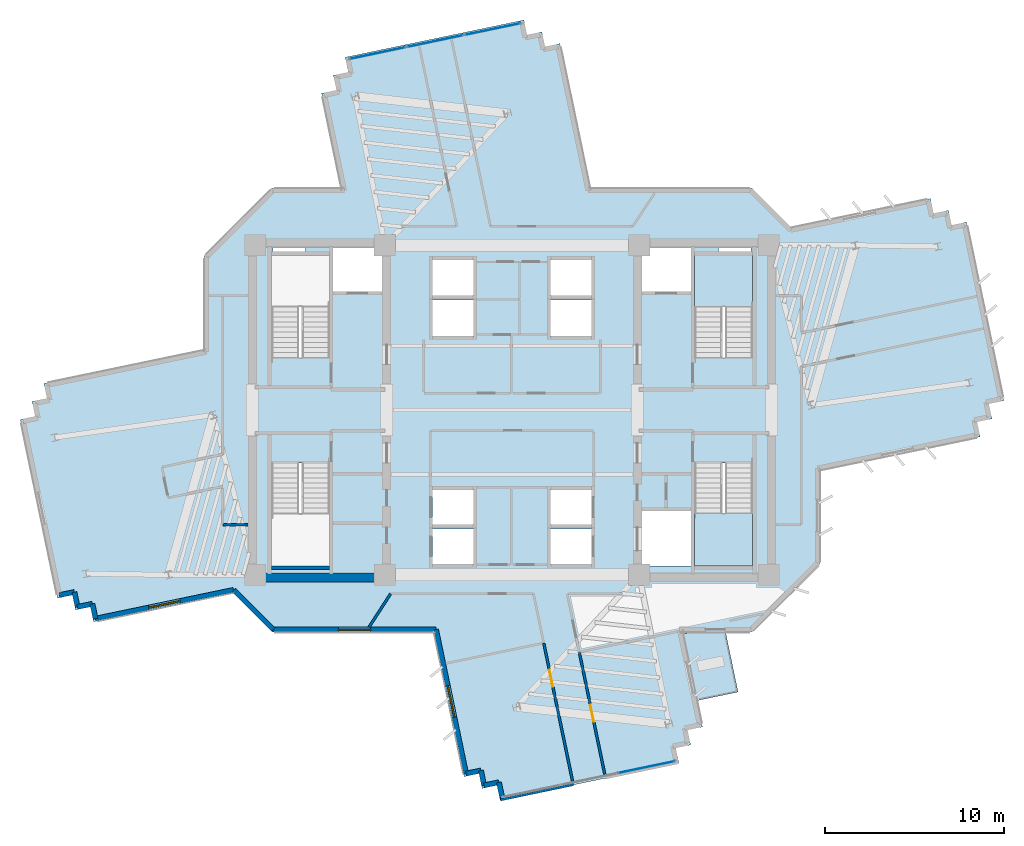
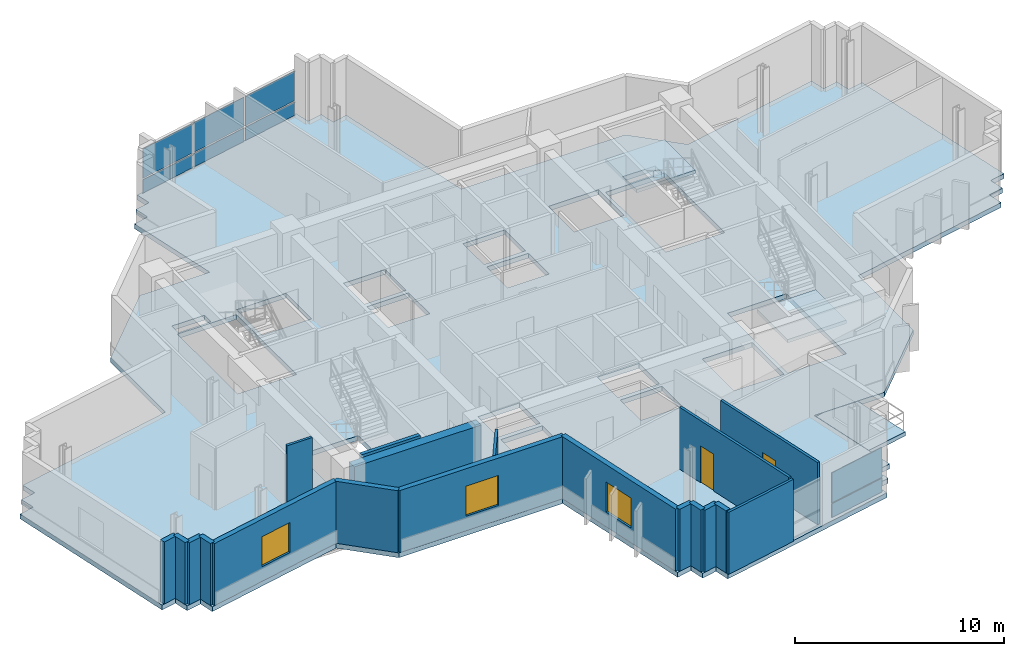
# One storey, part 6 of 14: 19 walls, 8 plates, 4 slabs, 3 windows, 2 doors, 5 openings, 4 elements without a shape of their own.
"""IFC4 building model written with IfcOpenShell, lengths in metres."""

import ifcopenshell
import ifcopenshell.guid

model = None  # the IFC model being written
_history = None  # IfcOwnerHistory: only IFC2X3 demands one
_inside = {}  # id of a spatial element -> (the spatial element, [elements in it])
_under = {}  # id of a project, library or spatial element -> (it, [spatial elements below it])
_declared = {}  # id of a project -> (the project, [libraries it declares])
_typed = {}  # id of a type object -> (the type object, [elements of that type])
_made_of = {}  # id of a material, layer set ... -> (it, [elements and type objects made of it])


def new_model(schema):
    """Start an empty IFC model of exactly this schema.

    Asked for "IFC4X3", IfcOpenShell would pick the latest addendum, in which some entities
    have other attributes; the version numbers below select the first issue.
    IFC2X3 requires an IfcOwnerHistory on every rooted entity: one is made here for all.
    """
    global model, _history
    if schema == "IFC4X3":
        model = ifcopenshell.file(schema_version=(4, 3, 0, 0))
    else:
        model = ifcopenshell.file(schema=schema)
    _inside.clear()
    _under.clear()
    _declared.clear()
    _typed.clear()
    _made_of.clear()
    _history = None
    if model.schema == "IFC2X3":
        org = make("IfcOrganization", Name="unknown")
        user = make(
            "IfcPersonAndOrganization",
            ThePerson=make("IfcPerson", FamilyName="unknown"),
            TheOrganization=org,
        )
        app = make(
            "IfcApplication",
            ApplicationDeveloper=org,
            Version="unknown",
            ApplicationFullName="unknown",
            ApplicationIdentifier="unknown",
        )
        _history = make(
            "IfcOwnerHistory",
            OwningUser=user,
            OwningApplication=app,
            ChangeAction="ADDED",
            CreationDate=0,
        )
    return model


def make(cls, **values):
    """One entity of the class cls with the attributes given. An attribute that is None is left unset."""
    return model.create_entity(
        cls, **{name: value for name, value in values.items() if value is not None}
    )


def rooted(cls, **values):
    """An entity with a GlobalId (a new one), such as an element, a storey or a relation."""
    return make(cls, GlobalId=ifcopenshell.guid.new(), OwnerHistory=_history, **values)


def si_unit(unit_type, name, prefix=None):
    """IfcSIUnit, for example si_unit("LENGTHUNIT", "METRE", prefix="MILLI")."""
    return make("IfcSIUnit", UnitType=unit_type, Prefix=prefix, Name=name)


def assignment(units):
    """IfcUnitAssignment: the units of a project."""
    return None if units is None else make("IfcUnitAssignment", Units=units)


def point(xyz):
    """IfcCartesianPoint."""
    return None if xyz is None else make("IfcCartesianPoint", Coordinates=xyz)


def direction(xyz):
    """IfcDirection."""
    return None if xyz is None else make("IfcDirection", DirectionRatios=xyz)


def frame(location, z_axis=None, x_axis=None):
    """IfcAxis2Placement3D, a coordinate frame: its origin and axes. An axis left out is left unset."""
    return make(
        "IfcAxis2Placement3D",
        Location=point(location),
        Axis=direction(z_axis),
        RefDirection=direction(x_axis),
    )


def frame_2d(location, x_axis=None):
    """IfcAxis2Placement2D, a coordinate frame in the plane: its origin and x axis."""
    return make(
        "IfcAxis2Placement2D", Location=point(location), RefDirection=direction(x_axis)
    )


def origin():
    """The frame at (0, 0, 0) with its axes left unset."""
    return frame((0.0, 0.0, 0.0))


def origin_2d():
    """The frame at (0, 0) in the plane with its x axis left unset."""
    return frame_2d((0.0, 0.0))


def place(relative_to, where):
    """IfcLocalPlacement: puts the frame where relative to a parent placement (None: the world)."""
    return make(
        "IfcLocalPlacement", PlacementRelTo=relative_to, RelativePlacement=where
    )


def context(
    kind, dimensions, precision=None, world=None, true_north=None, identifier=None
):
    """IfcGeometricRepresentationContext, for example the 3D "Model" context."""
    return make(
        "IfcGeometricRepresentationContext",
        ContextIdentifier=identifier,
        ContextType=kind,
        CoordinateSpaceDimension=dimensions,
        Precision=precision,
        WorldCoordinateSystem=world,
        TrueNorth=true_north,
    )


def subcontext(parent, identifier, kind, view, scale=None):
    """IfcGeometricRepresentationSubContext, for example "Body" below "Model"."""
    return make(
        "IfcGeometricRepresentationSubContext",
        ContextIdentifier=identifier,
        ContextType=kind,
        ParentContext=parent,
        TargetScale=scale,
        TargetView=view,
    )


def project(units=None, contexts=None):
    """IfcProject with its units and contexts."""
    return rooted(
        "IfcProject",
        Name="project",
        RepresentationContexts=contexts,
        UnitsInContext=assignment(units),
    )


def spatial(cls, under=None, at=None, **own):
    """A site, building, storey or space (cls), placed at a placement, below another one or the project."""
    s = rooted(cls, ObjectPlacement=at, **own)
    if under is not None:
        _under.setdefault(under.id(), (under, []))[1].append(s)
    return s


def polyline(points):
    """IfcPolyline through the points."""
    return make("IfcPolyline", Points=[point(p) for p in points])


def profile(cls, at=None, kind="AREA", **sizes):
    """A parametric profile (cls). Its sizes go by their IFC names, for example OverallWidth=200.0."""
    return make(cls, ProfileType=kind, Position=at, **sizes)


def rectangle(**sizes):
    """IfcRectangleProfileDef."""
    return profile("IfcRectangleProfileDef", **sizes)


def outline(outer, holes=None, kind="AREA"):
    """IfcArbitraryClosedProfileDef: a profile drawn as a closed curve; with holes, ...WithVoids."""
    if holes is None:
        return make("IfcArbitraryClosedProfileDef", ProfileType=kind, OuterCurve=outer)
    return make(
        "IfcArbitraryProfileDefWithVoids",
        ProfileType=kind,
        OuterCurve=outer,
        InnerCurves=holes,
    )


def extrude(swept, where, along, depth):
    """IfcExtrudedAreaSolid: the profile swept, set in the frame where, extruded along a direction by depth."""
    return make(
        "IfcExtrudedAreaSolid",
        SweptArea=swept,
        Position=where,
        ExtrudedDirection=direction(along),
        Depth=depth,
    )


def shape(context_of_items, identifier, shape_type, items):
    """IfcShapeRepresentation: the items that make up one representation, for example the "Body"."""
    return make(
        "IfcShapeRepresentation",
        ContextOfItems=context_of_items,
        RepresentationIdentifier=identifier,
        RepresentationType=shape_type,
        Items=items,
    )


def source(mapping_origin, context_of_items, identifier, shape_type, items):
    """IfcRepresentationMap: a shape defined once, which mapped items show again and again."""
    return make(
        "IfcRepresentationMap",
        MappingOrigin=mapping_origin,
        MappedRepresentation=shape(context_of_items, identifier, shape_type, items),
    )


def transform(
    local_origin,
    x_axis=None,
    y_axis=None,
    z_axis=None,
    scale=None,
    scale2=None,
    scale3=None,
    uniform=True,
):
    """IfcCartesianTransformationOperator3D, or its non-uniform kind. x_axis, y_axis, z_axis: its Axis1, 2, 3."""
    if uniform:
        return make(
            "IfcCartesianTransformationOperator3D",
            Axis1=direction(x_axis),
            Axis2=direction(y_axis),
            LocalOrigin=point(local_origin),
            Scale=scale,
            Axis3=direction(z_axis),
        )
    return make(
        "IfcCartesianTransformationOperator3DnonUniform",
        Axis1=direction(x_axis),
        Axis2=direction(y_axis),
        LocalOrigin=point(local_origin),
        Scale=scale,
        Axis3=direction(z_axis),
        Scale2=scale2,
        Scale3=scale3,
    )


def mapped(mapping_source, mapping_target):
    """IfcMappedItem: shows the shape of a source again, moved by a transform."""
    return make(
        "IfcMappedItem", MappingSource=mapping_source, MappingTarget=mapping_target
    )


def material(Name=None, Category=None):
    """IfcMaterial."""
    return make("IfcMaterial", Name=Name, Category=Category)


def layer(
    of_material, thickness, ventilated=None, Name=None, Category=None, Priority=None
):
    """IfcMaterialLayer: one layer of a wall or slab, of a material (None: an air gap)."""
    return make(
        "IfcMaterialLayer",
        Material=of_material,
        LayerThickness=thickness,
        IsVentilated=ventilated,
        Name=Name,
        Category=Category,
        Priority=Priority,
    )


def layer_set(layers, Name=None):
    """IfcMaterialLayerSet."""
    return make("IfcMaterialLayerSet", MaterialLayers=layers, LayerSetName=Name)


def made_of(thing, what):
    """Note that an element or type object is made of a material, layer set ...; save() writes the relation."""
    if what is not None:
        _made_of.setdefault(what.id(), (what, []))[1].append(thing)
    return thing


def type_object(cls, material=None, **own):
    """A type object (cls), such as IfcWallType, which elements share."""
    return made_of(rooted(cls, **own), material)


def element(
    cls,
    number,
    at=None,
    inside=None,
    cuts=None,
    type_object=None,
    material=None,
    context=None,
    identifier="Body",
    shape_type=None,
    held_by="IfcProductDefinitionShape",
    body=None,
    shapes=None,
    **own,
):
    """One element of the class cls, such as IfcWall. Its Tag is "e" and its number.

    at: its placement. inside: the storey or other place that contains it. cuts: it is an
    opening in that element (IfcRelVoidsElement). A single representation is given by context,
    identifier, shape_type and body (its items); several are given by shapes. held_by: the class
    of the entity that holds the representations. save() writes the other relations.
    """
    e = rooted(cls, Tag="e%d" % number, ObjectPlacement=at, **own)
    if body is not None:
        shapes = [shape(context, identifier, shape_type, body)]
    if shapes is not None:
        e.Representation = make(held_by, Representations=shapes)
    if inside is not None:
        _inside.setdefault(inside.id(), (inside, []))[1].append(e)
    if cuts is not None:
        rooted(
            "IfcRelVoidsElement", RelatingBuildingElement=cuts, RelatedOpeningElement=e
        )
    if type_object is not None:
        _typed.setdefault(type_object.id(), (type_object, []))[1].append(e)
    return made_of(e, material)


def fill(opening, filler):
    """IfcRelFillsElement: the door or window that sits in an opening."""
    return rooted(
        "IfcRelFillsElement",
        RelatingOpeningElement=opening,
        RelatedBuildingElement=filler,
    )


def aggregate(whole, parts):
    """IfcRelAggregates: a whole, such as a stair, and the parts it consists of."""
    return rooted("IfcRelAggregates", RelatingObject=whole, RelatedObjects=parts)


def save(model, path):
    """Write the relations noted so far, then the file.

    IfcRelAggregates (storeys below a building ...), IfcRelContainedInSpatialStructure (elements
    in a storey), IfcRelDefinesByType, IfcRelAssociatesMaterial and IfcRelDeclares: one each for
    every whole, place, type object, material and project.
    """
    for whole, parts in _under.values():
        aggregate(whole, parts)
    for where, things in _inside.values():
        rooted(
            "IfcRelContainedInSpatialStructure",
            RelatedElements=things,
            RelatingStructure=where,
        )
    for kind, things in _typed.values():
        rooted("IfcRelDefinesByType", RelatedObjects=things, RelatingType=kind)
    for what, things in _made_of.values():
        rooted("IfcRelAssociatesMaterial", RelatedObjects=things, RelatingMaterial=what)
    for by, libraries in _declared.values():
        rooted("IfcRelDeclares", RelatingContext=by, RelatedDefinitions=libraries)
    model.write(path)


model = new_model("IFC4")

# Units and contexts
model_context = context("Model", 3, precision=1e-05, world=origin(), true_north=direction((0.0, 1.0)))
body_context = subcontext(model_context, "Body", "Model", "MODEL_VIEW")
ifc_project = project(units=[si_unit("LENGTHUNIT", "METRE"), si_unit("AREAUNIT", "SQUARE_METRE"), si_unit("VOLUMEUNIT", "CUBIC_METRE"), si_unit("PLANEANGLEUNIT", "RADIAN"), si_unit("MASSUNIT", "GRAM", prefix="KILO")], contexts=[model_context])

# Site, building, storey
site_placement = place(None, origin())
site = spatial("IfcSite", under=ifc_project, at=site_placement, CompositionType="ELEMENT")
building_placement = place(site_placement, origin())
building = spatial("IfcBuilding", under=site, at=building_placement, Name="Zahravan Cultural Tower", CompositionType="ELEMENT")
storey_placement = place(building_placement, frame((0.0, 0.0, 159.0)))
storey = spatial("IfcBuildingStorey", under=building, at=storey_placement, Name="L36", CompositionType="ELEMENT", Elevation=159.0)

# Slab
ifc_material_1 = material(Name="Concrete C45/55", Category="concrete")
ifc_layer_1 = layer(ifc_material_1, 0.280029296875)
ifc_layer_set_1 = layer_set([ifc_layer_1], Name="Concrete C45/55")
slab_type_1 = type_object("IfcSlabType", Name="SL-LIB-280", PredefinedType="FLOOR", material=ifc_layer_set_1)
slab_1_placement = place(storey_placement, frame((0.0, 0.0, -0.280029296875)))
element("IfcSlab", 1, at=slab_1_placement, inside=storey, type_object=slab_type_1, Name="L36 Structural Floor Slab", PredefinedType="FLOOR", context=body_context, shape_type="SweptSolid", body=[
    extrude(outline(polyline([(51.600341796875, 37.19970703125), (49.39990234375, 39.39990234375), (40.3603515625, 39.39990234375), (38.67578125, 47.4775390625), (37.84375, 47.303955078125), (37.670166015625, 48.135986328125), (36.837890625, 47.962646484375), (36.66455078125, 48.794677734375), (26.67919921875, 46.71240234375), (26.852783203125, 45.880126953125), (26.020751953125, 45.706787109375), (26.1943359375, 44.87451171875), (25.3623046875, 44.701171875), (26.4677734375, 39.39990234375), (22.60009765625, 39.39990234375), (18.800048828125, 35.60009765625), (18.800048828125, 30.359375), (9.844482421875, 28.49169921875), (10.01806640625, 27.65966796875), (9.18603515625, 27.486083984375), (9.359619140625, 26.654052734375), (8.527587890625, 26.48046875), (10.60986328125, 16.4951171875), (11.44189453125, 16.668701171875), (11.615478515625, 15.836669921875), (12.447509765625, 16.01025390625), (12.62109375, 15.177978515625), (20.399658203125, 16.80029296875), (22.60009765625, 14.60009765625), (31.6396484375, 14.60009765625), (33.32421875, 6.5224609375), (34.15625, 6.696044921875), (34.329833984375, 5.864013671875), (35.162109375, 6.037353515625), (35.33544921875, 5.205322265625), (45.32080078125, 7.28759765625), (45.147216796875, 8.119873046875), (45.979248046875, 8.293212890625), (45.8056640625, 9.12548828125), (46.6376953125, 9.298828125), (45.5322265625, 14.60009765625), (49.39990234375, 14.60009765625), (53.199951171875, 18.39990234375), (53.199951171875, 23.640625), (62.155517578125, 25.50830078125), (61.98193359375, 26.34033203125), (62.81396484375, 26.513916015625), (62.640380859375, 27.345947265625), (63.472412109375, 27.51953125), (61.39013671875, 37.5048828125), (60.55810546875, 37.331298828125), (60.384521484375, 38.163330078125), (59.552490234375, 37.98974609375), (59.37890625, 38.822021484375), (51.600341796875, 37.19970703125)]), holes=[polyline([(22.550048828125, 29.949951171875), (22.550048828125, 35.699951171875), (25.800048828125, 35.699951171875), (25.800048828125, 29.949951171875), (22.550048828125, 29.949951171875)]), polyline([(22.550048828125, 18.300048828125), (22.550048828125, 24.050048828125), (25.800048828125, 24.050048828125), (25.800048828125, 18.300048828125), (22.550048828125, 18.300048828125)]), polyline([(46.199951171875, 29.949951171875), (46.199951171875, 35.699951171875), (49.449951171875, 35.699951171875), (49.449951171875, 29.949951171875), (46.199951171875, 29.949951171875)]), polyline([(46.199951171875, 18.300048828125), (46.199951171875, 24.050048828125), (49.449951171875, 24.050048828125), (49.449951171875, 18.300048828125), (46.199951171875, 18.300048828125)]), polyline([(26.0, 33.60009765625), (26.0, 36.050048828125), (28.75, 36.050048828125), (28.75, 33.60009765625), (26.0, 33.60009765625)]), polyline([(43.25, 33.60009765625), (43.25, 36.050048828125), (46.0, 36.050048828125), (46.0, 33.60009765625), (43.25, 33.60009765625)]), polyline([(43.25, 18.300048828125), (43.25, 21.35009765625), (46.0, 21.35009765625), (46.0, 18.300048828125), (43.25, 18.300048828125)]), polyline([(31.550048828125, 33.39990234375), (31.550048828125, 35.39990234375), (33.85009765625, 35.39990234375), (33.85009765625, 33.39990234375), (31.550048828125, 33.39990234375)]), polyline([(31.550048828125, 31.14990234375), (31.550048828125, 33.14990234375), (33.85009765625, 33.14990234375), (33.85009765625, 31.14990234375), (31.550048828125, 31.14990234375)]), polyline([(38.14990234375, 33.39990234375), (38.14990234375, 35.39990234375), (40.449951171875, 35.39990234375), (40.449951171875, 33.39990234375), (38.14990234375, 33.39990234375)]), polyline([(38.14990234375, 31.14990234375), (38.14990234375, 33.14990234375), (40.449951171875, 33.14990234375), (40.449951171875, 31.14990234375), (38.14990234375, 31.14990234375)]), polyline([(31.550048828125, 20.60009765625), (31.550048828125, 22.550048828125), (33.85009765625, 22.550048828125), (33.85009765625, 20.60009765625), (31.550048828125, 20.60009765625)]), polyline([(31.550048828125, 18.39990234375), (31.550048828125, 20.35009765625), (33.85009765625, 20.35009765625), (33.85009765625, 18.39990234375), (31.550048828125, 18.39990234375)]), polyline([(38.14990234375, 20.60009765625), (38.14990234375, 22.550048828125), (40.449951171875, 22.550048828125), (40.449951171875, 20.60009765625), (38.14990234375, 20.60009765625)]), polyline([(38.14990234375, 18.39990234375), (38.14990234375, 20.35009765625), (40.449951171875, 20.35009765625), (40.449951171875, 18.39990234375), (38.14990234375, 18.39990234375)]), polyline([(22.64990234375, 35.800048828125), (22.64990234375, 36.419921875), (24.449951171875, 36.419921875), (24.449951171875, 35.800048828125), (22.64990234375, 35.800048828125)]), polyline([(47.550048828125, 35.800048828125), (47.550048828125, 36.419921875), (49.35009765625, 36.419921875), (49.35009765625, 35.800048828125), (47.550048828125, 35.800048828125)])]), origin(), (0.0, 0.0, 1.0), 0.280029296875),
])

# Stair, slab
stair_type = type_object("IfcStairType", Name="STR-DL-1550-390", PredefinedType="HALF_TURN_STAIR", material=ifc_material_1)
stair_1_placement = place(storey_placement, origin())
stair_1 = element("IfcStair", 2, at=stair_1_placement, inside=storey, type_object=stair_type, Name="L36 East Core North Exit Stair ST-E1", PredefinedType="HALF_TURN_STAIR")
ifc_layer_2 = layer(ifc_material_1, 0.199951171875)
ifc_layer_set_2 = layer_set([ifc_layer_2], Name="Concrete C45/55")
slab_type_2 = type_object("IfcSlabType", Name="SL-STAIR-LND200", PredefinedType="LANDING", material=ifc_layer_set_2)
slab_2_placement = place(storey_placement, frame((0.0, 0.0, 1.75)))
slab_2 = element("IfcSlab", 3, at=slab_2_placement, type_object=slab_type_2, Name="ST-E1 landing 1", PredefinedType="LANDING", context=body_context, shape_type="SweptSolid", body=[
    extrude(outline(polyline([(49.449951171875, 32.75), (49.449951171875, 35.699951171875), (46.199951171875, 35.699951171875), (46.199951171875, 32.75), (49.449951171875, 32.75)])), origin(), (0.0, 0.0, 1.0), 0.199951171875),
])
aggregate(stair_1, [slab_2])

stair_2_placement = place(storey_placement, origin())
stair_2 = element("IfcStair", 4, at=stair_2_placement, inside=storey, type_object=stair_type, Name="L36 East Core South Exit Stair ST-E2", PredefinedType="HALF_TURN_STAIR")
slab_3_placement = place(storey_placement, frame((0.0, 0.0, 1.75)))
slab_3 = element("IfcSlab", 5, at=slab_3_placement, type_object=slab_type_2, Name="ST-E2 landing 1", PredefinedType="LANDING", context=body_context, shape_type="SweptSolid", body=[
    extrude(outline(polyline([(46.199951171875, 21.25), (46.199951171875, 18.300048828125), (49.449951171875, 18.300048828125), (49.449951171875, 21.25), (46.199951171875, 21.25)])), origin(), (0.0, 0.0, 1.0), 0.199951171875),
])
aggregate(stair_2, [slab_3])

# Slab
ifc_material_2 = material(Name="Concrete C40/50", Category="concrete")
ifc_layer_3 = layer(ifc_material_2, 0.239990234375)
ifc_layer_set_3 = layer_set([ifc_layer_3], Name="Concrete C40/50")
slab_type_3 = type_object("IfcSlabType", Name="SL-TERR-240", PredefinedType="FLOOR", material=ifc_layer_set_3)
slab_4_placement = place(storey_placement, frame((0.0, 0.0, -0.239990234375)))
element("IfcSlab", 6, at=slab_4_placement, inside=storey, type_object=slab_type_3, Name="L36 Planted Sculpture Terrace SE", PredefinedType="FLOOR", context=body_context, shape_type="SweptSolid", body=[
    extrude(outline(polyline([(48.632080078125, 11.2470703125), (47.933837890625, 14.594970703125), (46.072265625, 14.594970703125), (45.560791015625, 14.48828125), (46.33642578125, 10.768310546875), (48.632080078125, 11.2470703125)])), origin(), (0.0, 0.0, 1.0), 0.239990234375),
])

# Curtain wall, plates
ifc_material_3 = material(Name="Anodised bronze-aluminium mullion", Category="aluminium")
ifc_layer_4 = layer(ifc_material_3, 0.219970703125)
ifc_layer_set_4 = layer_set([ifc_layer_4], Name="Anodised bronze-aluminium mullion")
curtain_wall_type_1 = type_object("IfcCurtainWallType", Name="CW-SYS-1", PredefinedType="USERDEFINED", material=ifc_layer_set_4)
curtain_wall_1_placement = place(storey_placement, origin())
curtain_wall_1 = element("IfcCurtainWall", 7, at=curtain_wall_1_placement, inside=storey, type_object=curtain_wall_type_1, Name="L36 Recessed Curtain Wall CW-1.2", ObjectType="RECESSED GLAZING", PredefinedType="USERDEFINED")
ifc_material_4 = material(Name="Low-E solar-control double glazing", Category="glass")
ifc_layer_5 = layer(ifc_material_4, 0.031982421875)
ifc_layer_set_5 = layer_set([ifc_layer_5], Name="Low-E solar-control double glazing")
plate_type_1 = type_object("IfcPlateType", Name="CWP-CW-1", PredefinedType="CURTAIN_PANEL", material=ifc_layer_set_5)
shared_shape_1 = source(origin(), body_context, "Body", "SweptSolid", [
    extrude(rectangle(XDim=3.186767578125, YDim=0.031982421875, at=origin_2d()), origin(), (0.0, 0.0, 1.0), 0.780029296875),
])
plate_1_placement = place(storey_placement, frame((28.48291015625, 46.9453125, 0.080078125), z_axis=(0.0, 0.0, 1.0), x_axis=(0.978937039301, 0.204162369415, 0.0)))
plate_1 = element("IfcPlate", 8, at=plate_1_placement, type_object=plate_type_1, Name="CW-1 panel 1.1", PredefinedType="CURTAIN_PANEL", context=body_context, shape_type="MappedRepresentation", body=[
    mapped(shared_shape_1, transform((0.0, 0.0, 0.0), x_axis=(1.0, 0.0, 0.0), y_axis=(0.0, 1.0, 0.0), z_axis=(0.0, 0.0, 1.0), scale=1.0)),
])
plate_2_placement = place(storey_placement, frame((34.91796875, 48.287353515625, 0.080078125), z_axis=(0.0, 0.0, 1.0), x_axis=(0.978937039301, 0.204162369415, 0.0)))
plate_2 = element("IfcPlate", 9, at=plate_2_placement, type_object=plate_type_1, Name="CW-1 panel 3.1", PredefinedType="CURTAIN_PANEL", context=body_context, shape_type="MappedRepresentation", body=[
    mapped(shared_shape_1, transform((0.0, 0.0, 0.0), x_axis=(1.0, 0.0, 0.0), y_axis=(0.0, 1.0, 0.0), z_axis=(0.0, 0.0, 1.0), scale=1.0)),
])

ifc_layer_6 = layer(ifc_material_3, 0.1650390625)
ifc_layer_set_6 = layer_set([ifc_layer_6], Name="Anodised bronze-aluminium mullion")
curtain_wall_type_2 = type_object("IfcCurtainWallType", Name="CW-SYS-4", PredefinedType="USERDEFINED", material=ifc_layer_set_6)
curtain_wall_2_placement = place(storey_placement, origin())
curtain_wall_2 = element("IfcCurtainWall", 10, at=curtain_wall_2_placement, inside=storey, type_object=curtain_wall_type_2, Name="L36 Recessed Curtain Wall CW-4.1", ObjectType="RECESSED GLAZING", PredefinedType="USERDEFINED")
ifc_layer_7 = layer(ifc_material_4, 0.02587890625)
ifc_layer_set_7 = layer_set([ifc_layer_7], Name="Low-E solar-control double glazing")
plate_type_2 = type_object("IfcPlateType", Name="CWP-CW-4", PredefinedType="CURTAIN_PANEL", material=ifc_layer_set_7)
shared_shape_2 = source(origin(), body_context, "Body", "SweptSolid", [
    extrude(rectangle(XDim=3.209228515625, YDim=0.02587890625, at=origin_2d()), origin(), (0.0, 0.0, 1.0), 0.802490234375),
])
plate_3_placement = place(storey_placement, frame((43.520751953125, 7.055419921875, 0.06494140625), z_axis=(0.0, 0.0, 1.0), x_axis=(-0.978937039301, -0.204162369415, 0.0)))
plate_3 = element("IfcPlate", 11, at=plate_3_placement, type_object=plate_type_2, Name="CW-4 panel 1.1", PredefinedType="CURTAIN_PANEL", context=body_context, shape_type="MappedRepresentation", body=[
    mapped(shared_shape_2, transform((0.0, 0.0, 0.0), x_axis=(1.0, 0.0, 0.0), y_axis=(0.0, 1.0, 0.0), z_axis=(0.0, 0.0, 1.0), scale=1.0)),
])
shared_shape_3 = source(origin(), body_context, "Body", "SweptSolid", [
    extrude(rectangle(XDim=3.209228515625, YDim=0.02587890625, at=origin_2d()), origin(), (0.0, 0.0, 1.0), 1.742431640625),
])
plate_4_placement = place(storey_placement, frame((43.520751953125, 7.055419921875, 0.9326171875), z_axis=(0.0, 0.0, 1.0), x_axis=(-0.978937039301, -0.204162369415, 0.0)))
plate_4 = element("IfcPlate", 12, at=plate_4_placement, type_object=plate_type_2, Name="CW-4 panel 1.2", PredefinedType="CURTAIN_PANEL", context=body_context, shape_type="MappedRepresentation", body=[
    mapped(shared_shape_3, transform((0.0, 0.0, 0.0), x_axis=(1.0, 0.0, 0.0), y_axis=(0.0, 1.0, 0.0), z_axis=(0.0, 0.0, 1.0), scale=1.0)),
])
aggregate(curtain_wall_2, [plate_3, plate_4])

# Plate
shared_shape_4 = source(origin(), body_context, "Body", "SweptSolid", [
    extrude(rectangle(XDim=3.186767578125, YDim=0.031982421875, at=origin_2d()), origin(), (0.0, 0.0, 1.0), 1.719970703125),
])
plate_5_placement = place(storey_placement, frame((28.48291015625, 46.9453125, 0.93994140625), z_axis=(0.0, 0.0, 1.0), x_axis=(0.978937039301, 0.204162369415, 0.0)))
plate_5 = element("IfcPlate", 13, at=plate_5_placement, type_object=plate_type_1, Name="CW-1 panel 1.2", PredefinedType="CURTAIN_PANEL", context=body_context, shape_type="MappedRepresentation", body=[
    mapped(shared_shape_4, transform((0.0, 0.0, 0.0), x_axis=(1.0, 0.0, 0.0), y_axis=(0.0, 1.0, 0.0), z_axis=(0.0, 0.0, 1.0), scale=1.0)),
])

plate_6_placement = place(storey_placement, frame((34.91796875, 48.287353515625, 0.93994140625), z_axis=(0.0, 0.0, 1.0), x_axis=(0.978937039301, 0.204162369415, 0.0)))
plate_6 = element("IfcPlate", 14, at=plate_6_placement, type_object=plate_type_1, Name="CW-1 panel 3.2", PredefinedType="CURTAIN_PANEL", context=body_context, shape_type="MappedRepresentation", body=[
    mapped(shared_shape_4, transform((0.0, 0.0, 0.0), x_axis=(1.0, 0.0, 0.0), y_axis=(0.0, 1.0, 0.0), z_axis=(0.0, 0.0, 1.0), scale=1.0)),
])

shared_shape_5 = source(origin(), body_context, "Body", "SweptSolid", [
    extrude(rectangle(XDim=3.2265625, YDim=0.031982421875, at=origin_2d()), origin(), (0.0, 0.0, 1.0), 0.780029296875),
])
plate_7_placement = place(storey_placement, frame((31.700439453125, 47.616455078125, 0.080078125), z_axis=(0.0, 0.0, 1.0), x_axis=(0.978937039301, 0.204162369415, 0.0)))
plate_7 = element("IfcPlate", 15, at=plate_7_placement, type_object=plate_type_1, Name="CW-1 panel 2.1", PredefinedType="CURTAIN_PANEL", context=body_context, shape_type="MappedRepresentation", body=[
    mapped(shared_shape_5, transform((0.0, 0.0, 0.0), x_axis=(1.0, 0.0, 0.0), y_axis=(0.0, 1.0, 0.0), z_axis=(0.0, 0.0, 1.0), scale=1.0)),
])

shared_shape_6 = source(origin(), body_context, "Body", "SweptSolid", [
    extrude(rectangle(XDim=3.2265625, YDim=0.031982421875, at=origin_2d()), origin(), (0.0, 0.0, 1.0), 1.719970703125),
])
plate_8_placement = place(storey_placement, frame((31.700439453125, 47.616455078125, 0.93994140625), z_axis=(0.0, 0.0, 1.0), x_axis=(0.978937039301, 0.204162369415, 0.0)))
plate_8 = element("IfcPlate", 16, at=plate_8_placement, type_object=plate_type_1, Name="CW-1 panel 2.2", PredefinedType="CURTAIN_PANEL", context=body_context, shape_type="MappedRepresentation", body=[
    mapped(shared_shape_6, transform((0.0, 0.0, 0.0), x_axis=(1.0, 0.0, 0.0), y_axis=(0.0, 1.0, 0.0), z_axis=(0.0, 0.0, 1.0), scale=1.0)),
])

aggregate(curtain_wall_1, [plate_1, plate_5, plate_7, plate_8, plate_2, plate_6])

# Wall, opening, window
ifc_material_5 = material(Name="Precast concrete C40/50", Category="concrete")
ifc_layer_8 = layer(ifc_material_5, 0.280029296875)
ifc_layer_set_8 = layer_set([ifc_layer_8], Name="Precast concrete C40/50")
wall_type_1 = type_object("IfcWallType", Name="EW-TC-280", PredefinedType="SOLIDWALL", material=ifc_layer_set_8)
wall_1_placement = place(storey_placement, frame((33.4326171875, 6.68798828125, 0.0), z_axis=(0.0, 0.0, 1.0), x_axis=(-0.204152195211, 0.978939161128, 0.0)))
wall_1 = element("IfcWall", 17, at=wall_1_placement, inside=storey, type_object=wall_type_1, Name="L36 Exterior Masonry Frame Wall 24", PredefinedType="SOLIDWALL", context=body_context, shape_type="SweptSolid", body=[
    extrude(rectangle(XDim=8.225341796875, YDim=0.280029296875, at=frame_2d((4.11279296875, 0.0))), origin(), (0.0, 0.0, 1.0), 3.6201171875),
])
opening_1_placement = place(wall_1_placement, frame((3.212890625, 0.0, 0.85009765625)))
opening_1 = element("IfcOpeningElement", 18, at=opening_1_placement, cuts=wall_1, Name="Opening WN-02", PredefinedType="OPENING", context=body_context, shape_type="SweptSolid", body=[
    extrude(rectangle(XDim=1.800048828125, YDim=1.75, at=frame_2d((0.89990234375, 0.875))), frame((0.0, 0.14990234375, 0.0), z_axis=(0.0, -1.0, 0.0), x_axis=(1.0, 0.0, 0.0)), (0.0, 0.0, 1.0), 0.300048828125),
])
window_type = type_object("IfcWindowType", Name="WN-REC-1800X1750", PartitioningType="DOUBLE_PANEL_VERTICAL", PredefinedType="WINDOW", material=ifc_material_4)
shared_shape_7 = source(origin(), body_context, "Body", "SweptSolid", [
    extrude(rectangle(XDim=1.800048828125, YDim=1.75, at=frame_2d((0.89990234375, 0.875))), frame((0.0, 0.030029296875, 0.0), z_axis=(0.0, -1.0, 0.0), x_axis=(1.0, 0.0, 0.0)), (0.0, 0.0, 1.0), 0.06005859375),
])
window_1_placement = place(opening_1_placement, origin())
window_1 = element("IfcWindow", 19, at=window_1_placement, inside=storey, type_object=window_type, Name="L36 Recessed Solar Window 05", OverallHeight=1.75, OverallWidth=1.800048828125, PartitioningType="DOUBLE_PANEL_VERTICAL", PredefinedType="WINDOW", context=body_context, shape_type="MappedRepresentation", body=[
    mapped(shared_shape_7, transform((0.0, 0.0, 0.0), x_axis=(1.0, 0.0, 0.0), y_axis=(0.0, 1.0, 0.0), z_axis=(0.0, 0.0, 1.0), scale=1.0)),
])
fill(opening_1, window_1)

wall_2_placement = place(storey_placement, frame((31.75341796875, 14.739990234375, 0.0), z_axis=(0.0, 0.0, 1.0), x_axis=(-1.0, 0.0, 0.0)))
wall_2 = element("IfcWall", 20, at=wall_2_placement, inside=storey, type_object=wall_type_1, Name="L36 Exterior Masonry Frame Wall 25", PredefinedType="SOLIDWALL", context=body_context, shape_type="SweptSolid", body=[
    extrude(rectangle(XDim=9.095458984375, YDim=0.280029296875, at=frame_2d((4.5478515625, 0.0))), origin(), (0.0, 0.0, 1.0), 3.6201171875),
])
opening_2_placement = place(wall_2_placement, frame((3.64794921875, 0.0, 0.85009765625)))
opening_2 = element("IfcOpeningElement", 21, at=opening_2_placement, cuts=wall_2, Name="Opening WN-02", PredefinedType="OPENING", context=body_context, shape_type="SweptSolid", body=[
    extrude(rectangle(XDim=1.800048828125, YDim=1.75, at=frame_2d((0.89990234375, 0.875))), frame((0.0, 0.14990234375, 0.0), z_axis=(0.0, -1.0, 0.0), x_axis=(1.0, 0.0, 0.0)), (0.0, 0.0, 1.0), 0.300048828125),
])
window_2_placement = place(opening_2_placement, origin())
window_2 = element("IfcWindow", 22, at=window_2_placement, inside=storey, type_object=window_type, Name="L36 Recessed Solar Window 06", OverallHeight=1.75, OverallWidth=1.800048828125, PartitioningType="DOUBLE_PANEL_VERTICAL", PredefinedType="WINDOW", context=body_context, shape_type="MappedRepresentation", body=[
    mapped(shared_shape_7, transform((0.0, 0.0, 0.0), x_axis=(1.0, 0.0, 0.0), y_axis=(0.0, 1.0, 0.0), z_axis=(0.0, 0.0, 1.0), scale=1.0)),
])
fill(opening_2, window_2)

wall_3_placement = place(storey_placement, frame((20.4453125, 16.952880859375, 0.0), z_axis=(0.0, 0.0, 1.0), x_axis=(-0.978938136474, -0.204157108515, 0.0)))
wall_3 = element("IfcWall", 23, at=wall_3_placement, inside=storey, type_object=wall_type_1, Name="L36 Exterior Masonry Frame Wall 27", PredefinedType="SOLIDWALL", context=body_context, shape_type="SweptSolid", body=[
    extrude(rectangle(XDim=7.8818359375, YDim=0.280029296875, at=frame_2d((3.94091796875, 0.0))), origin(), (0.0, 0.0, 1.0), 3.6201171875),
])
opening_3_placement = place(wall_3_placement, frame((3.041015625, 0.0, 0.85009765625)))
opening_3 = element("IfcOpeningElement", 24, at=opening_3_placement, cuts=wall_3, Name="Opening WN-02", PredefinedType="OPENING", context=body_context, shape_type="SweptSolid", body=[
    extrude(rectangle(XDim=1.800048828125, YDim=1.75, at=frame_2d((0.89990234375, 0.875))), frame((0.0, 0.14990234375, 0.0), z_axis=(0.0, -1.0, 0.0), x_axis=(1.0, 0.0, 0.0)), (0.0, 0.0, 1.0), 0.300048828125),
])
window_3_placement = place(opening_3_placement, origin())
window_3 = element("IfcWindow", 25, at=window_3_placement, inside=storey, type_object=window_type, Name="L36 Recessed Solar Window 07", OverallHeight=1.75, OverallWidth=1.800048828125, PartitioningType="DOUBLE_PANEL_VERTICAL", PredefinedType="WINDOW", context=body_context, shape_type="MappedRepresentation", body=[
    mapped(shared_shape_7, transform((0.0, 0.0, 0.0), x_axis=(1.0, 0.0, 0.0), y_axis=(0.0, 1.0, 0.0), z_axis=(0.0, 0.0, 1.0), scale=1.0)),
])
fill(opening_3, window_3)

# Wall, opening, door
ifc_material_6 = material(Name="Gypsum plasterboard partition")
ifc_layer_9 = layer(ifc_material_6, 0.139892578125)
ifc_layer_set_9 = layer_set([ifc_layer_9], Name="Gypsum plasterboard partition")
wall_type_2 = type_object("IfcWallType", Name="W-PART-140", PredefinedType="PARTITIONING", material=ifc_layer_set_9)
wall_4_placement = place(storey_placement, frame((41.182373046875, 6.656982421875, 0.0), z_axis=(0.0, 0.0, 1.0), x_axis=(-0.204158980406, 0.97893774609, 0.0)))
wall_4 = element("IfcWall", 26, at=wall_4_placement, inside=storey, type_object=wall_type_2, Name="L36 Interior Wall 085", PredefinedType="PARTITIONING", context=body_context, shape_type="SweptSolid", body=[
    extrude(rectangle(XDim=6.95263671875, YDim=0.139892578125, at=frame_2d((3.476318359375, 0.0))), origin(), (0.0, 0.0, 1.0), 3.6201171875),
])
opening_4_placement = place(wall_4_placement, frame((3.001220703125, 0.0, 0.0)))
opening_4 = element("IfcOpeningElement", 27, at=opening_4_placement, cuts=wall_4, Name="Opening D-L36-28", PredefinedType="OPENING", context=body_context, shape_type="SweptSolid", body=[
    extrude(rectangle(XDim=0.949951171875, YDim=2.14990234375, at=frame_2d((0.47509765625, 1.074951171875))), frame((0.0, 0.079833984375, 0.0), z_axis=(0.0, -1.0, 0.0), x_axis=(1.0, 0.0, 0.0)), (0.0, 0.0, 1.0), 0.159912109375),
])
door_type = type_object("IfcDoorType", Name="DR-ROOM-950", OperationType="NOTDEFINED", PredefinedType="DOOR", material=ifc_material_3)
shared_shape_8 = source(origin(), body_context, "Body", "SweptSolid", [
    extrude(rectangle(XDim=0.949951171875, YDim=2.14990234375, at=frame_2d((0.47509765625, 1.074951171875))), frame((0.0, 0.02490234375, 0.0), z_axis=(0.0, -1.0, 0.0), x_axis=(1.0, 0.0, 0.0)), (0.0, 0.0, 1.0), 0.050048828125),
])
door_1_placement = place(opening_4_placement, origin())
door_1 = element("IfcDoor", 28, at=door_1_placement, inside=storey, type_object=door_type, Name="L36 Door D-L36-28", OperationType="SINGLE_SWING_LEFT", OverallHeight=2.14990234375, OverallWidth=0.949951171875, PredefinedType="DOOR", context=body_context, shape_type="MappedRepresentation", body=[
    mapped(shared_shape_8, transform((0.0, 0.0, 0.0), x_axis=(1.0, 0.0, 0.0), y_axis=(0.0, 1.0, 0.0), z_axis=(0.0, 0.0, 1.0), scale=1.0)),
])
fill(opening_4, door_1)

wall_5_placement = place(storey_placement, frame((37.77783203125, 13.968505859375, 0.0), z_axis=(0.0, 0.0, 1.0), x_axis=(0.204175249208, -0.978934353065, 0.0)))
wall_5 = element("IfcWall", 29, at=wall_5_placement, inside=storey, type_object=wall_type_2, Name="L36 Interior Wall 086", PredefinedType="PARTITIONING", context=body_context, shape_type="SweptSolid", body=[
    extrude(rectangle(XDim=7.8525390625, YDim=0.139892578125, at=frame_2d((3.92626953125, 0.0))), origin(), (0.0, 0.0, 1.0), 3.6201171875),
])
opening_5_placement = place(wall_5_placement, frame((1.5185546875, 0.0, 0.0)))
opening_5 = element("IfcOpeningElement", 30, at=opening_5_placement, cuts=wall_5, Name="Opening D-L36-26", PredefinedType="OPENING", context=body_context, shape_type="SweptSolid", body=[
    extrude(rectangle(XDim=0.949951171875, YDim=2.14990234375, at=frame_2d((0.47509765625, 1.074951171875))), frame((0.0, 0.079833984375, 0.0), z_axis=(0.0, -1.0, 0.0), x_axis=(1.0, 0.0, 0.0)), (0.0, 0.0, 1.0), 0.159912109375),
])
door_2_placement = place(opening_5_placement, origin())
door_2 = element("IfcDoor", 31, at=door_2_placement, inside=storey, type_object=door_type, Name="L36 Door D-L36-26", OperationType="SINGLE_SWING_LEFT", OverallHeight=2.14990234375, OverallWidth=0.949951171875, PredefinedType="DOOR", context=body_context, shape_type="MappedRepresentation", body=[
    mapped(shared_shape_8, transform((0.0, 0.0, 0.0), x_axis=(1.0, 0.0, 0.0), y_axis=(0.0, 1.0, 0.0), z_axis=(0.0, 0.0, 1.0), scale=1.0)),
])
fill(opening_5, door_2)

# Walls
ifc_material_7 = material(Name="Concrete C60/75", Category="concrete")
ifc_layer_10 = layer(ifc_material_7, 0.5)
ifc_layer_set_10 = layer_set([ifc_layer_10], Name="Concrete C60/75")
wall_type_3 = type_object("IfcWallType", Name="CW-SHEAR-500-C60", PredefinedType="SHEAR", material=ifc_layer_set_10)
shared_shape_9 = source(origin(), body_context, "Body", "SweptSolid", [
    extrude(rectangle(XDim=7.0, YDim=0.5, at=frame_2d((3.5, 0.0))), origin(), (0.0, 0.0, 1.0), 3.6201171875),
])
wall_6_placement = place(storey_placement, frame((21.75, 17.64990234375, 0.0), z_axis=(0.0, 0.0, 1.0), x_axis=(1.0, 0.0, 0.0)))
element("IfcWall", 32, at=wall_6_placement, inside=storey, type_object=wall_type_3, Name="L36 Core Shear Wall CW-W-S-L36", PredefinedType="SHEAR", context=body_context, shape_type="MappedRepresentation", body=[
    mapped(shared_shape_9, transform((0.0, 0.0, 0.0), x_axis=(1.0, 0.0, 0.0), y_axis=(0.0, 1.0, 0.0), z_axis=(0.0, 0.0, 1.0), scale=1.0)),
])
shared_shape_10 = source(origin(), body_context, "Body", "SweptSolid", [
    extrude(rectangle(XDim=0.85009765625, YDim=0.280029296875, at=frame_2d((0.425048828125, 0.0))), origin(), (0.0, 0.0, 1.0), 3.6201171875),
])
wall_7_placement = place(storey_placement, frame((34.264892578125, 6.861572265625, 0.0), z_axis=(0.0, 0.0, 1.0), x_axis=(-0.97893500384, -0.204172128991, 0.0)))
element("IfcWall", 33, at=wall_7_placement, inside=storey, type_object=wall_type_1, Name="L36 Exterior Masonry Frame Wall 23", PredefinedType="SOLIDWALL", context=body_context, shape_type="MappedRepresentation", body=[
    mapped(shared_shape_10, transform((0.0, 0.0, 0.0), x_axis=(1.0, 0.0, 0.0), y_axis=(0.0, 1.0, 0.0), z_axis=(0.0, 0.0, 1.0), scale=1.0)),
])
shared_shape_11 = source(origin(), body_context, "Body", "SweptSolid", [
    extrude(rectangle(XDim=0.849853515625, YDim=0.280029296875, at=frame_2d((0.4248046875, 0.0))), origin(), (0.0, 0.0, 1.0), 3.6201171875),
])
for number, where, z_axis, x_axis, name in (
    (34, (35.444091796875, 5.370849609375, 0.0), (0.0, 0.0, 1.0), (-0.20422954019, 0.978923028084, 0.0), "L36 Exterior Masonry Frame Wall 20"),
    (35, (35.2705078125, 6.202880859375, 0.0), (0.0, 0.0, 1.0), (-0.978980419738, -0.203954254112, 0.0), "L36 Exterior Masonry Frame Wall 21"),
    (36, (34.4384765625, 6.029541015625, 0.0), (0.0, 0.0, 1.0), (-0.20422954019, 0.978923028084, 0.0), "L36 Exterior Masonry Frame Wall 22"),
    (37, (12.7294921875, 15.34375, 0.0), (0.0, 0.0, 1.0), (-0.203954254112, 0.978980419738, 0.0), "L36 Exterior Masonry Frame Wall 28"),
    (38, (12.55615234375, 16.17578125, 0.0), (0.0, 0.0, 1.0), (-0.978923028084, -0.20422954019, 0.0), "L36 Exterior Masonry Frame Wall 29"),
    (39, (11.55029296875, 16.83447265625, 0.0), (0.0, 0.0, 1.0), (-0.978923028084, -0.20422954019, 0.0), "L36 Exterior Masonry Frame Wall 31"),
):
    element("IfcWall", number, at=place(storey_placement, frame(where, z_axis=z_axis, x_axis=x_axis)), inside=storey, type_object=wall_type_1, Name=name, PredefinedType="SOLIDWALL", context=body_context, shape_type="MappedRepresentation", body=[
        mapped(shared_shape_11, transform((0.0, 0.0, 0.0), x_axis=(1.0, 0.0, 0.0), y_axis=(0.0, 1.0, 0.0), z_axis=(0.0, 0.0, 1.0), scale=1.0)),
    ])
shared_shape_12 = source(origin(), body_context, "Body", "SweptSolid", [
    extrude(rectangle(XDim=0.850341796875, YDim=0.280029296875, at=frame_2d((0.42529296875, 0.0))), origin(), (0.0, 0.0, 1.0), 3.6201171875),
])
wall_8_placement = place(storey_placement, frame((11.72412109375, 16.002197265625, 0.0), z_axis=(0.0, 0.0, 1.0), x_axis=(-0.204447295999, 0.978877573121, 0.0)))
element("IfcWall", 40, at=wall_8_placement, inside=storey, type_object=wall_type_1, Name="L36 Exterior Masonry Frame Wall 30", PredefinedType="SOLIDWALL", context=body_context, shape_type="MappedRepresentation", body=[
    mapped(shared_shape_12, transform((0.0, 0.0, 0.0), x_axis=(1.0, 0.0, 0.0), y_axis=(0.0, 1.0, 0.0), z_axis=(0.0, 0.0, 1.0), scale=1.0)),
])
shared_shape_13 = source(origin(), body_context, "Body", "SweptSolid", [
    extrude(rectangle(XDim=3.12939453125, YDim=0.280029296875, at=frame_2d((1.564697265625, 0.0))), origin(), (0.0, 0.0, 1.0), 3.6201171875),
])
wall_9_placement = place(storey_placement, frame((22.657958984375, 14.739990234375, 0.0), z_axis=(0.0, 0.0, 1.0), x_axis=(-0.707067771627, 0.707145788594, 0.0)))
element("IfcWall", 41, at=wall_9_placement, inside=storey, type_object=wall_type_1, Name="L36 Exterior Masonry Frame Wall 26", PredefinedType="SOLIDWALL", context=body_context, shape_type="MappedRepresentation", body=[
    mapped(shared_shape_13, transform((0.0, 0.0, 0.0), x_axis=(1.0, 0.0, 0.0), y_axis=(0.0, 1.0, 0.0), z_axis=(0.0, 0.0, 1.0), scale=1.0)),
])
ifc_layer_11 = layer(ifc_material_1, 0.199951171875)
ifc_layer_set_11 = layer_set([ifc_layer_11], Name="Concrete C45/55")
wall_type_4 = type_object("IfcWallType", Name="W-SHAFT-200", PredefinedType="SOLIDWALL", material=ifc_layer_set_11)
shared_shape_14 = source(origin(), body_context, "Body", "SweptSolid", [
    extrude(rectangle(XDim=3.25, YDim=0.199951171875, at=frame_2d((1.625, 0.0))), origin(), (0.0, 0.0, 1.0), 3.6201171875),
])
wall_10_placement = place(storey_placement, frame((22.550048828125, 18.199951171875, 0.0), z_axis=(0.0, 0.0, 1.0), x_axis=(1.0, 0.0, 0.0)))
element("IfcWall", 42, at=wall_10_placement, inside=storey, type_object=wall_type_4, Name="L36 Interior Wall 019", PredefinedType="SOLIDWALL", context=body_context, shape_type="MappedRepresentation", body=[
    mapped(shared_shape_14, transform((0.0, 0.0, 0.0), x_axis=(1.0, 0.0, 0.0), y_axis=(0.0, 1.0, 0.0), z_axis=(0.0, 0.0, 1.0), scale=1.0)),
])
shared_shape_15 = source(origin(), body_context, "Body", "SweptSolid", [
    extrude(rectangle(XDim=2.2099609375, YDim=0.139892578125, at=frame_2d((1.10498046875, 0.0))), origin(), (0.0, 0.0, 1.0), 3.6201171875),
])
wall_11_placement = place(storey_placement, frame((28.01806640625, 14.885009765625, 0.0), z_axis=(0.0, 0.0, 1.0), x_axis=(0.543613077793, 0.83933594088, 0.0)))
element("IfcWall", 43, at=wall_11_placement, inside=storey, type_object=wall_type_2, Name="L36 Interior Wall 076", PredefinedType="PARTITIONING", context=body_context, shape_type="MappedRepresentation", body=[
    mapped(shared_shape_15, transform((0.0, 0.0, 0.0), x_axis=(1.0, 0.0, 0.0), y_axis=(0.0, 1.0, 0.0), z_axis=(0.0, 0.0, 1.0), scale=1.0)),
])
shared_shape_16 = source(origin(), body_context, "Body", "SweptSolid", [
    extrude(rectangle(XDim=4.159912109375, YDim=0.139892578125, at=frame_2d((2.080078125, 0.0))), origin(), (0.0, 0.0, 1.0), 3.6201171875),
])
wall_12_placement = place(storey_placement, frame((39.42333984375, 6.078125, 0.0), z_axis=(0.0, 0.0, 1.0), x_axis=(-0.978945249929, -0.204122996358, 0.0)))
element("IfcWall", 44, at=wall_12_placement, inside=storey, type_object=wall_type_2, Name="L36 Interior Wall 087", PredefinedType="PARTITIONING", context=body_context, shape_type="MappedRepresentation", body=[
    mapped(shared_shape_16, transform((0.0, 0.0, 0.0), x_axis=(1.0, 0.0, 0.0), y_axis=(0.0, 1.0, 0.0), z_axis=(0.0, 0.0, 1.0), scale=1.0)),
])
shared_shape_17 = source(origin(), body_context, "Body", "SweptSolid", [
    extrude(rectangle(XDim=1.392822265625, YDim=0.139892578125, at=frame_2d((0.6962890625, 0.0))), origin(), (0.0, 0.0, 1.0), 3.6201171875),
])
wall_13_placement = place(storey_placement, frame((19.852294921875, 20.601318359375, 0.0), z_axis=(0.0, 0.0, 1.0), x_axis=(0.999999615941, -0.000876423853, 0.0)))
element("IfcWall", 45, at=wall_13_placement, inside=storey, type_object=wall_type_2, Name="L36 Interior Wall 102", PredefinedType="PARTITIONING", context=body_context, shape_type="MappedRepresentation", body=[
    mapped(shared_shape_17, transform((0.0, 0.0, 0.0), x_axis=(1.0, 0.0, 0.0), y_axis=(0.0, 1.0, 0.0), z_axis=(0.0, 0.0, 1.0), scale=1.0)),
])

save(model, "model.ifc")
